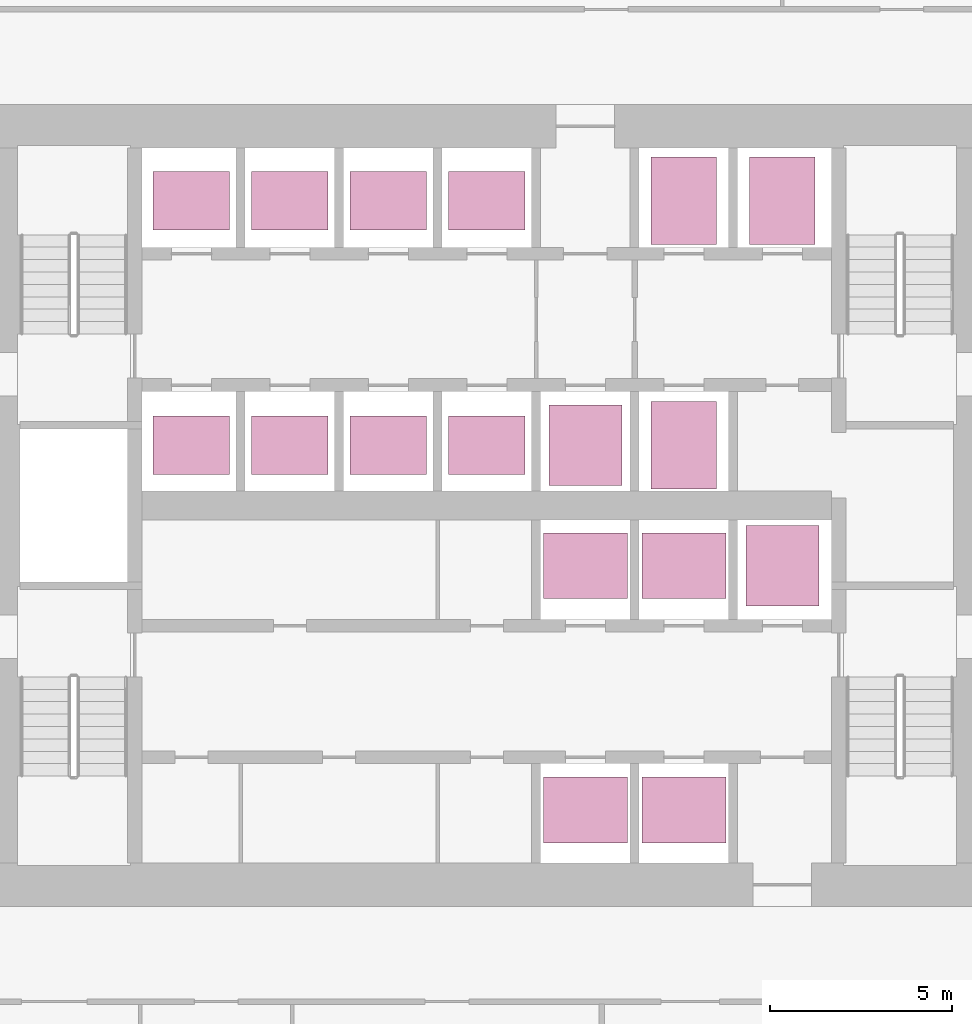
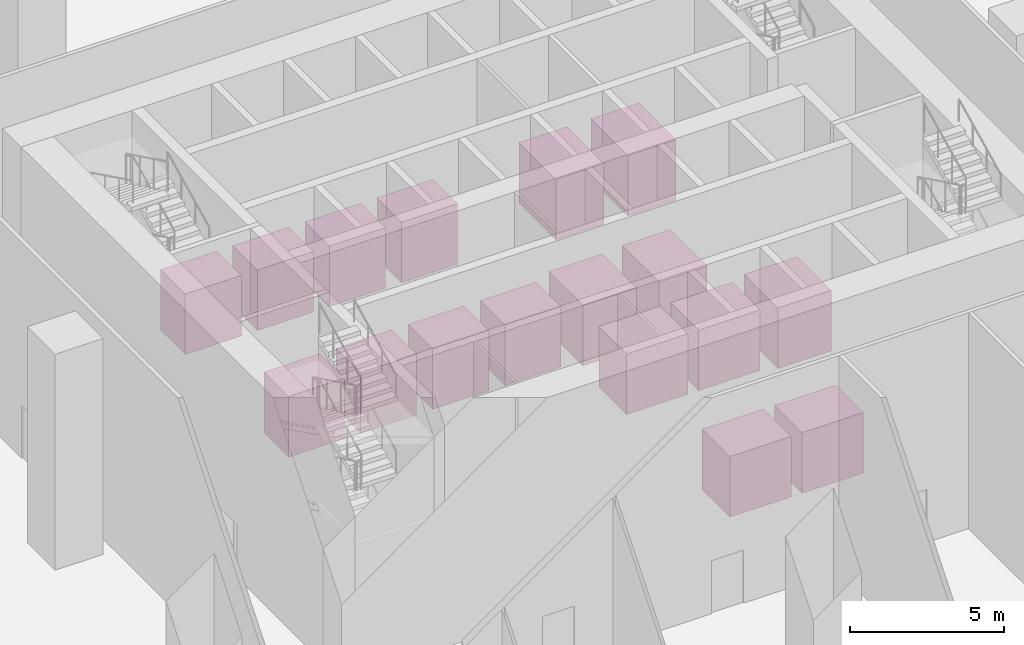
# One storey, part 40 of 40: 17 transport elements.
"""IFC4 building model written with IfcOpenShell, lengths in metres."""

from ifc_helpers import new_model, si_unit, direction, frame, origin, origin_2d, place, context, subcontext, project, spatial, rectangle, extrude, material, type_object, element, save


model = new_model("IFC4")

# Units and contexts
model_context = context("Model", 3, precision=1e-05, world=origin(), true_north=direction((0.0, 1.0)))
body_context = subcontext(model_context, "Body", "Model", "MODEL_VIEW")
ifc_project = project(units=[si_unit("LENGTHUNIT", "METRE"), si_unit("AREAUNIT", "SQUARE_METRE"), si_unit("VOLUMEUNIT", "CUBIC_METRE"), si_unit("PLANEANGLEUNIT", "RADIAN"), si_unit("MASSUNIT", "GRAM", prefix="KILO")], contexts=[model_context])

# Site, building, storey
site_placement = place(None, origin())
site = spatial("IfcSite", under=ifc_project, at=site_placement, CompositionType="ELEMENT")
building_placement = place(site_placement, origin())
building = spatial("IfcBuilding", under=site, at=building_placement, Name="Dongbaek Canopy Tower", CompositionType="ELEMENT")
storey_placement = place(building_placement, origin())
storey = spatial("IfcBuildingStorey", under=building, at=storey_placement, Name="L00", CompositionType="ELEMENT", Elevation=0.0)

# Transport elements
ifc_material = material(Name="Stainless steel", Category="steel")
transport_element_type = type_object("IfcTransportElementType", Name="Lift car", PredefinedType="ELEVATOR", material=ifc_material)
for number, where, z_axis, x_axis, name in (
    (1, (-8.10009765625, 8.35009765625, 0.0), (0.0, 0.0, 1.0), (1.0, 0.0, 0.0), "Lift LR1"),
    (2, (-8.10009765625, 1.64990234375, 0.0), (0.0, 0.0, 1.0), (1.0, 0.0, 0.0), "Lift LR5"),
    (3, (-5.39990234375, 8.35009765625, 0.0), (0.0, 0.0, 1.0), (1.0, 0.0, 0.0), "Lift LR2"),
    (4, (-5.39990234375, 1.64990234375, 0.0), (0.0, 0.0, 1.0), (1.0, 0.0, 0.0), "Lift LR6"),
    (5, (-2.699951171875, 8.35009765625, 0.0), (0.0, 0.0, 1.0), (1.0, 0.0, 0.0), "Lift LR3"),
    (6, (-2.699951171875, 1.64990234375, 0.0), (0.0, 0.0, 1.0), (1.0, 0.0, 0.0), "Lift LR7"),
    (7, (0.0, 8.35009765625, 0.0), (0.0, 0.0, 1.0), (1.0, 0.0, 0.0), "Lift LR4"),
    (8, (0.0, 1.64990234375, 0.0), (0.0, 0.0, 1.0), (1.0, 0.0, 0.0), "Lift LR8"),
):
    element("IfcTransportElement", number, at=place(storey_placement, frame(where, z_axis=z_axis, x_axis=x_axis)), inside=storey, type_object=transport_element_type, Name=name, PredefinedType="ELEVATOR", context=body_context, shape_type="SweptSolid", body=[
        extrude(rectangle(XDim=2.10009765625, YDim=1.60009765625, at=origin_2d()), origin(), (0.0, 0.0, 1.0), 2.39990234375),
    ])
for number, where, z_axis, x_axis, name in (
    (9, (2.699951171875, -1.64990234375, 0.0), (0.0, 0.0, 1.0), (1.0, 0.0, 0.0), "Lift SH1"),
    (10, (5.39990234375, -1.64990234375, 0.0), (0.0, 0.0, 1.0), (1.0, 0.0, 0.0), "Lift SH2"),
    (11, (2.699951171875, -8.35009765625, 0.0), (0.0, 0.0, 1.0), (1.0, 0.0, 0.0), "Lift SH3"),
    (12, (5.39990234375, -8.35009765625, 0.0), (0.0, 0.0, 1.0), (1.0, 0.0, 0.0), "Lift SH4"),
):
    element("IfcTransportElement", number, at=place(storey_placement, frame(where, z_axis=z_axis, x_axis=x_axis)), inside=storey, type_object=transport_element_type, Name=name, PredefinedType="ELEVATOR", context=body_context, shape_type="SweptSolid", body=[
        extrude(rectangle(XDim=2.300048828125, YDim=1.800048828125, at=origin_2d()), origin(), (0.0, 0.0, 1.0), 2.39990234375),
    ])
for number, where, z_axis, x_axis, name in (
    (13, (5.39990234375, 8.35009765625, 0.0), (0.0, 0.0, 1.0), (1.0, 0.0, 0.0), "Lift FF1"),
    (14, (8.10009765625, 8.35009765625, 0.0), (0.0, 0.0, 1.0), (1.0, 0.0, 0.0), "Lift FF2"),
    (15, (5.39990234375, 1.64990234375, 0.0), (0.0, 0.0, 1.0), (1.0, 0.0, 0.0), "Lift FF3"),
):
    element("IfcTransportElement", number, at=place(storey_placement, frame(where, z_axis=z_axis, x_axis=x_axis)), inside=storey, type_object=transport_element_type, Name=name, PredefinedType="ELEVATOR", context=body_context, shape_type="SweptSolid", body=[
        extrude(rectangle(XDim=1.800048828125, YDim=2.39990234375, at=origin_2d()), origin(), (0.0, 0.0, 1.0), 2.39990234375),
    ])
for number, where, z_axis, x_axis, name in (
    (16, (2.699951171875, 1.64990234375, 0.0), (0.0, 0.0, 1.0), (1.0, 0.0, 0.0), "Lift SV1"),
    (17, (8.10009765625, -1.64990234375, 0.0), (0.0, 0.0, 1.0), (1.0, 0.0, 0.0), "Lift SV2"),
):
    element("IfcTransportElement", number, at=place(storey_placement, frame(where, z_axis=z_axis, x_axis=x_axis)), inside=storey, type_object=transport_element_type, Name=name, PredefinedType="ELEVATOR", context=body_context, shape_type="SweptSolid", body=[
        extrude(rectangle(XDim=2.0, YDim=2.199951171875, at=origin_2d()), origin(), (0.0, 0.0, 1.0), 2.39990234375),
    ])

save(model, "model.ifc")
